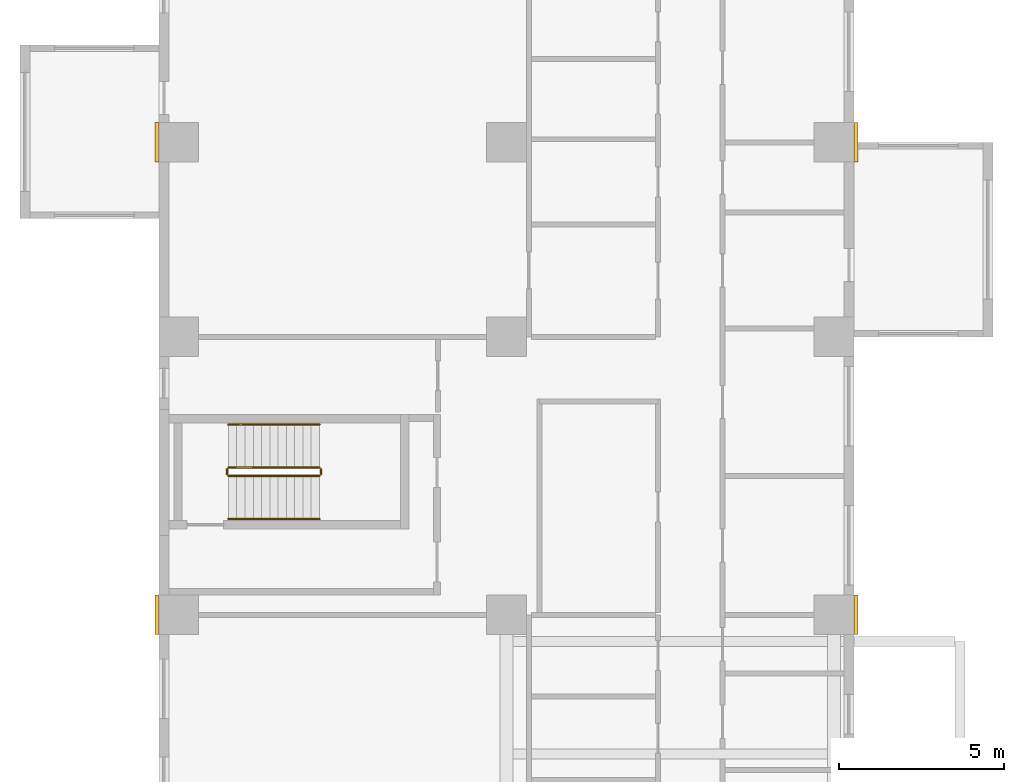
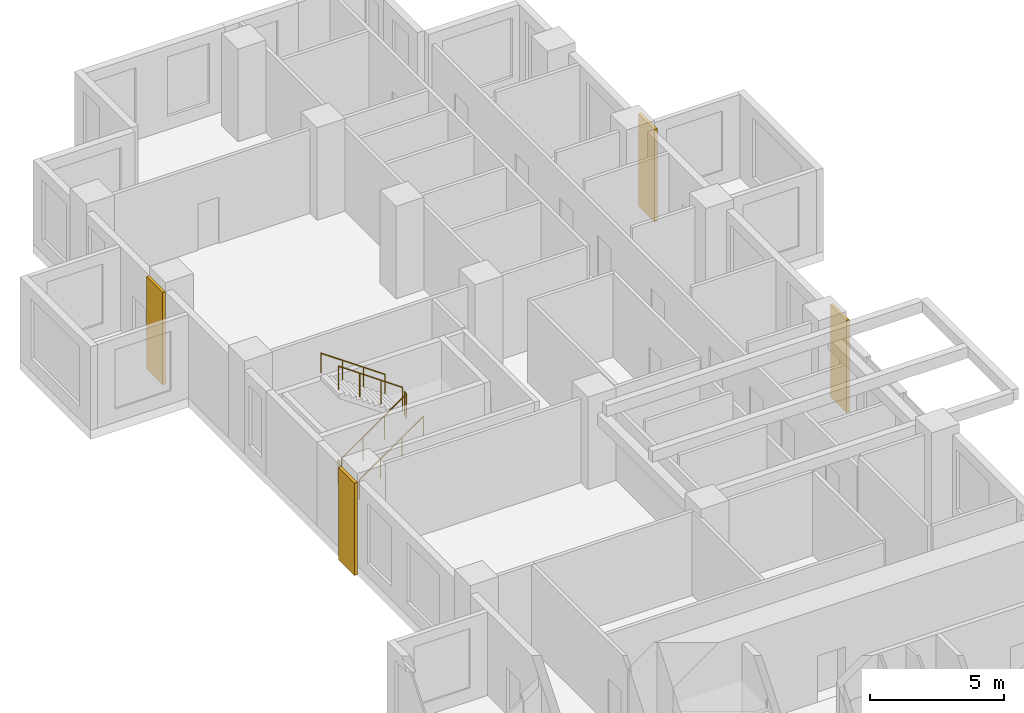
# One storey, part 14 of 14: 6 railings, 4 coverings.
"""IFC4 building model written with IfcOpenShell, lengths in metres."""

from ifc_helpers import new_model, si_unit, direction, frame, origin, origin_2d, place, context, subcontext, project, spatial, rectangle, circle, extrude, source, transform, mapped, material, type_object, element, save


model = new_model("IFC4")

# Units and contexts
model_context = context("Model", 3, precision=1e-05, world=origin(), true_north=direction((0.0, 1.0)))
body_context = subcontext(model_context, "Body", "Model", "MODEL_VIEW")
ifc_project = project(units=[si_unit("LENGTHUNIT", "METRE"), si_unit("AREAUNIT", "SQUARE_METRE"), si_unit("VOLUMEUNIT", "CUBIC_METRE"), si_unit("PLANEANGLEUNIT", "RADIAN"), si_unit("MASSUNIT", "GRAM", prefix="KILO")], contexts=[model_context])

# Site, building, storey
site_placement = place(None, origin())
site = spatial("IfcSite", under=ifc_project, at=site_placement, CompositionType="ELEMENT")
building_placement = place(site_placement, origin())
building = spatial("IfcBuilding", under=site, at=building_placement, Name="Aurelian Terraces", CompositionType="ELEMENT")
storey_placement = place(building_placement, frame((0.0, 0.0, 44.7)))
storey = spatial("IfcBuildingStorey", under=building, at=storey_placement, Name="L08", CompositionType="ELEMENT", Elevation=44.7)

# Coverings
ifc_material_1 = material(Name="Terracotta rainscreen cladding relief", Category="masonry")
covering_type = type_object("IfcCoveringType", Name="BAGUETTE-TC", PredefinedType="CLADDING", material=ifc_material_1)
shared_shape_1 = source(origin(), body_context, "Body", "SweptSolid", [
    extrude(rectangle(XDim=0.12, YDim=1.2, at=origin_2d()), origin(), (0.0, 0.0, 1.0), 4.2),
])
for number, where, z_axis, x_axis, name in (
    (1, (-0.06, 37.8, -0.4), (0.0, 0.0, 1.0), (1.0, 0.0, 0.0), "BAGUETTE pier L08 10"),
    (2, (21.06, 37.8, -0.4), (0.0, 0.0, 1.0), (1.0, 0.0, 0.0), "BAGUETTE pier L08 11"),
    (3, (-0.06, 52.08, -0.4), (0.0, 0.0, 1.0), (1.0, 0.0, 0.0), "BAGUETTE pier L08 12"),
    (4, (21.06, 52.08, -0.4), (0.0, 0.0, 1.0), (1.0, 0.0, 0.0), "BAGUETTE pier L08 13"),
):
    element("IfcCovering", number, at=place(storey_placement, frame(where, z_axis=z_axis, x_axis=x_axis)), inside=storey, type_object=covering_type, Name=name, PredefinedType="CLADDING", context=body_context, shape_type="MappedRepresentation", body=[
        mapped(shared_shape_1, transform((0.0, 0.0, 0.0), scale=1.0)),
    ])

# Railings
ifc_material_2 = material(Name="Stainless steel", Category="steel")
railing_type_1 = type_object("IfcRailingType", Name="Stair guard 1100", PredefinedType="GUARDRAIL", material=ifc_material_2)
shared_shape_2 = source(origin(), body_context, "Body", "SweptSolid", [
    extrude(circle(Radius=0.024, at=origin_2d()), frame((0.0, 0.0, 1.076), z_axis=(0.0, 1.0, 0.0), x_axis=(-1.0, 0.0, 0.0)), (0.0, 0.0, 1.0), 0.15),
    extrude(circle(Radius=0.021, at=origin_2d()), origin(), (0.0, 0.0, 1.0), 1.052),
    extrude(circle(Radius=0.021, at=origin_2d()), frame((0.0, 0.15, 0.0)), (0.0, 0.0, 1.0), 1.052),
])
for number, where, name in (
    (5, (4.9, 42.05, 2.1), "L08 S3 stair guard 2"),
    (6, (2.05, 42.05, 0.0), "L08 S3 stair guard 4"),
):
    element("IfcRailing", number, at=place(storey_placement, frame(where)), inside=storey, type_object=railing_type_1, Name=name, PredefinedType="GUARDRAIL", context=body_context, shape_type="MappedRepresentation", body=[
        mapped(shared_shape_2, transform((0.0, 0.0, 0.0), scale=1.0)),
    ])
shared_shape_3 = source(origin(), body_context, "Body", "SweptSolid", [
    extrude(circle(Radius=0.024, at=origin_2d()), frame((0.0, 0.0, 1.076), z_axis=(0.819231920519, 0.0, 0.573462344363), x_axis=(0.0, 1.0, 0.0)), (0.0, 0.0, 1.0), 3.3568),
    extrude(circle(Radius=0.021, at=origin_2d()), origin(), (0.0, 0.0, 1.0), 1.052),
    extrude(circle(Radius=0.021, at=origin_2d()), frame((0.9167, 0.0, 0.6417)), (0.0, 0.0, 1.0), 1.052),
    extrude(circle(Radius=0.021, at=origin_2d()), frame((1.8333, 0.0, 1.2833)), (0.0, 0.0, 1.0), 1.052),
    extrude(circle(Radius=0.021, at=origin_2d()), frame((2.75, 0.0, 1.925)), (0.0, 0.0, 1.0), 1.052),
])
railing_1_placement = place(storey_placement, frame((2.1, 42.0, 0.175)))
element("IfcRailing", 7, at=railing_1_placement, inside=storey, type_object=railing_type_1, Name="L08 S3 stair guard 1", PredefinedType="GUARDRAIL", context=body_context, shape_type="MappedRepresentation", body=[
    mapped(shared_shape_3, transform((0.0, 0.0, 0.0), scale=1.0)),
])
shared_shape_4 = source(origin(), body_context, "Body", "SweptSolid", [
    extrude(circle(Radius=0.024, at=origin_2d()), frame((0.0, 0.0, 1.076), z_axis=(-0.819231920519, 0.0, 0.573462344363), x_axis=(0.0, -1.0, 0.0)), (0.0, 0.0, 1.0), 3.3568),
    extrude(circle(Radius=0.021, at=origin_2d()), origin(), (0.0, 0.0, 1.0), 1.052),
    extrude(circle(Radius=0.021, at=origin_2d()), frame((-0.9167, 0.0, 0.6417)), (0.0, 0.0, 1.0), 1.052),
    extrude(circle(Radius=0.021, at=origin_2d()), frame((-1.8333, 0.0, 1.2833)), (0.0, 0.0, 1.0), 1.052),
    extrude(circle(Radius=0.021, at=origin_2d()), frame((-2.75, 0.0, 1.925)), (0.0, 0.0, 1.0), 1.052),
])
railing_2_placement = place(storey_placement, frame((4.85, 42.25, 2.275)))
element("IfcRailing", 8, at=railing_2_placement, inside=storey, type_object=railing_type_1, Name="L08 S3 stair guard 3", PredefinedType="GUARDRAIL", context=body_context, shape_type="MappedRepresentation", body=[
    mapped(shared_shape_4, transform((0.0, 0.0, 0.0), scale=1.0)),
])
railing_type_2 = type_object("IfcRailingType", Name="Stair handrail", PredefinedType="HANDRAIL", material=ifc_material_2)
shared_shape_5 = source(origin(), body_context, "Body", "SweptSolid", [
    extrude(circle(Radius=0.024, at=origin_2d()), frame((0.0, 0.0, 0.876), z_axis=(0.819231920519, 0.0, 0.573462344363), x_axis=(0.0, 1.0, 0.0)), (0.0, 0.0, 1.0), 3.3568),
    extrude(circle(Radius=0.021, at=origin_2d()), origin(), (0.0, 0.0, 1.0), 0.852),
    extrude(circle(Radius=0.021, at=origin_2d()), frame((0.9167, 0.0, 0.6417)), (0.0, 0.0, 1.0), 0.852),
    extrude(circle(Radius=0.021, at=origin_2d()), frame((1.8333, 0.0, 1.2833)), (0.0, 0.0, 1.0), 0.852),
    extrude(circle(Radius=0.021, at=origin_2d()), frame((2.75, 0.0, 1.925)), (0.0, 0.0, 1.0), 0.852),
])
railing_3_placement = place(storey_placement, frame((2.1, 40.7, 0.175)))
element("IfcRailing", 9, at=railing_3_placement, inside=storey, type_object=railing_type_2, Name="L08 S3 stair handrail 1", PredefinedType="HANDRAIL", context=body_context, shape_type="MappedRepresentation", body=[
    mapped(shared_shape_5, transform((0.0, 0.0, 0.0), scale=1.0)),
])
shared_shape_6 = source(origin(), body_context, "Body", "SweptSolid", [
    extrude(circle(Radius=0.024, at=origin_2d()), frame((0.0, 0.0, 0.876), z_axis=(-0.819231920519, 0.0, 0.573462344363), x_axis=(0.0, -1.0, 0.0)), (0.0, 0.0, 1.0), 3.3568),
    extrude(circle(Radius=0.021, at=origin_2d()), origin(), (0.0, 0.0, 1.0), 0.852),
    extrude(circle(Radius=0.021, at=origin_2d()), frame((-0.9167, 0.0, 0.6417)), (0.0, 0.0, 1.0), 0.852),
    extrude(circle(Radius=0.021, at=origin_2d()), frame((-1.8333, 0.0, 1.2833)), (0.0, 0.0, 1.0), 0.852),
    extrude(circle(Radius=0.021, at=origin_2d()), frame((-2.75, 0.0, 1.925)), (0.0, 0.0, 1.0), 0.852),
])
railing_4_placement = place(storey_placement, frame((4.85, 43.55, 2.275)))
element("IfcRailing", 10, at=railing_4_placement, inside=storey, type_object=railing_type_2, Name="L08 S3 stair handrail 2", PredefinedType="HANDRAIL", context=body_context, shape_type="MappedRepresentation", body=[
    mapped(shared_shape_6, transform((0.0, 0.0, 0.0), scale=1.0)),
])

save(model, "model.ifc")
